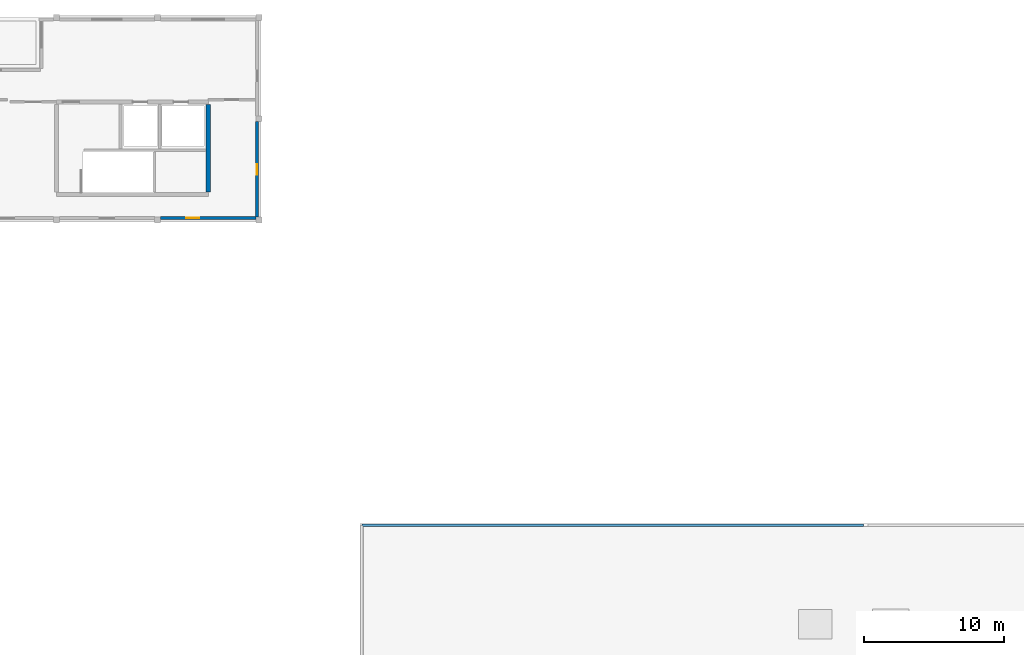
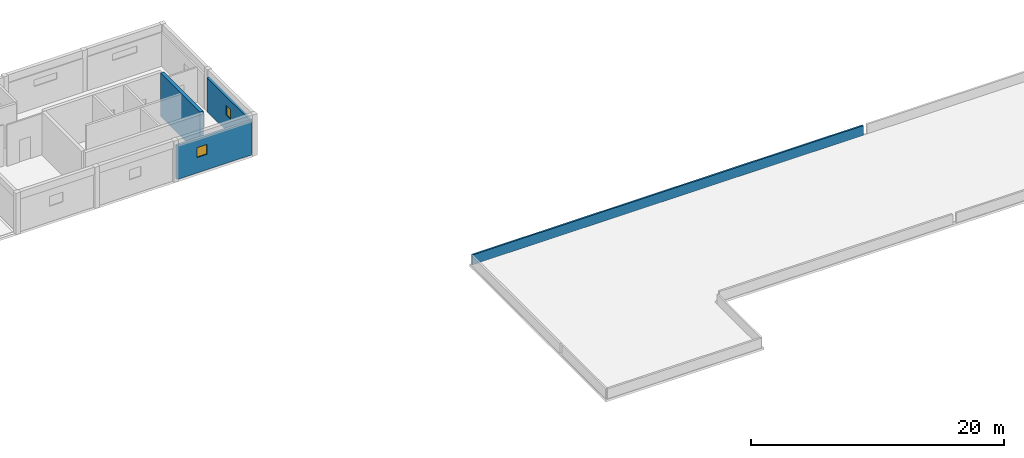
# One storey, part 7 of 15: 4 walls, 2 windows, 2 openings.
"""IFC4 building model written with IfcOpenShell, lengths in metres."""

import ifcopenshell
import ifcopenshell.guid

model = None  # the IFC model being written
_history = None  # IfcOwnerHistory: only IFC2X3 demands one
_inside = {}  # id of a spatial element -> (the spatial element, [elements in it])
_under = {}  # id of a project, library or spatial element -> (it, [spatial elements below it])
_declared = {}  # id of a project -> (the project, [libraries it declares])
_typed = {}  # id of a type object -> (the type object, [elements of that type])
_made_of = {}  # id of a material, layer set ... -> (it, [elements and type objects made of it])


def new_model(schema):
    """Start an empty IFC model of exactly this schema.

    Asked for "IFC4X3", IfcOpenShell would pick the latest addendum, in which some entities
    have other attributes; the version numbers below select the first issue.
    IFC2X3 requires an IfcOwnerHistory on every rooted entity: one is made here for all.
    """
    global model, _history
    if schema == "IFC4X3":
        model = ifcopenshell.file(schema_version=(4, 3, 0, 0))
    else:
        model = ifcopenshell.file(schema=schema)
    _inside.clear()
    _under.clear()
    _declared.clear()
    _typed.clear()
    _made_of.clear()
    _history = None
    if model.schema == "IFC2X3":
        org = make("IfcOrganization", Name="unknown")
        user = make(
            "IfcPersonAndOrganization",
            ThePerson=make("IfcPerson", FamilyName="unknown"),
            TheOrganization=org,
        )
        app = make(
            "IfcApplication",
            ApplicationDeveloper=org,
            Version="unknown",
            ApplicationFullName="unknown",
            ApplicationIdentifier="unknown",
        )
        _history = make(
            "IfcOwnerHistory",
            OwningUser=user,
            OwningApplication=app,
            ChangeAction="ADDED",
            CreationDate=0,
        )
    return model


def make(cls, **values):
    """One entity of the class cls with the attributes given. An attribute that is None is left unset."""
    return model.create_entity(
        cls, **{name: value for name, value in values.items() if value is not None}
    )


def rooted(cls, **values):
    """An entity with a GlobalId (a new one), such as an element, a storey or a relation."""
    return make(cls, GlobalId=ifcopenshell.guid.new(), OwnerHistory=_history, **values)


def si_unit(unit_type, name, prefix=None):
    """IfcSIUnit, for example si_unit("LENGTHUNIT", "METRE", prefix="MILLI")."""
    return make("IfcSIUnit", UnitType=unit_type, Prefix=prefix, Name=name)


def assignment(units):
    """IfcUnitAssignment: the units of a project."""
    return None if units is None else make("IfcUnitAssignment", Units=units)


def point(xyz):
    """IfcCartesianPoint."""
    return None if xyz is None else make("IfcCartesianPoint", Coordinates=xyz)


def direction(xyz):
    """IfcDirection."""
    return None if xyz is None else make("IfcDirection", DirectionRatios=xyz)


def frame(location, z_axis=None, x_axis=None):
    """IfcAxis2Placement3D, a coordinate frame: its origin and axes. An axis left out is left unset."""
    return make(
        "IfcAxis2Placement3D",
        Location=point(location),
        Axis=direction(z_axis),
        RefDirection=direction(x_axis),
    )


def frame_2d(location, x_axis=None):
    """IfcAxis2Placement2D, a coordinate frame in the plane: its origin and x axis."""
    return make(
        "IfcAxis2Placement2D", Location=point(location), RefDirection=direction(x_axis)
    )


def origin():
    """The frame at (0, 0, 0) with its axes left unset."""
    return frame((0.0, 0.0, 0.0))


def place(relative_to, where):
    """IfcLocalPlacement: puts the frame where relative to a parent placement (None: the world)."""
    return make(
        "IfcLocalPlacement", PlacementRelTo=relative_to, RelativePlacement=where
    )


def context(
    kind, dimensions, precision=None, world=None, true_north=None, identifier=None
):
    """IfcGeometricRepresentationContext, for example the 3D "Model" context."""
    return make(
        "IfcGeometricRepresentationContext",
        ContextIdentifier=identifier,
        ContextType=kind,
        CoordinateSpaceDimension=dimensions,
        Precision=precision,
        WorldCoordinateSystem=world,
        TrueNorth=true_north,
    )


def subcontext(parent, identifier, kind, view, scale=None):
    """IfcGeometricRepresentationSubContext, for example "Body" below "Model"."""
    return make(
        "IfcGeometricRepresentationSubContext",
        ContextIdentifier=identifier,
        ContextType=kind,
        ParentContext=parent,
        TargetScale=scale,
        TargetView=view,
    )


def project(units=None, contexts=None):
    """IfcProject with its units and contexts."""
    return rooted(
        "IfcProject",
        Name="project",
        RepresentationContexts=contexts,
        UnitsInContext=assignment(units),
    )


def spatial(cls, under=None, at=None, **own):
    """A site, building, storey or space (cls), placed at a placement, below another one or the project."""
    s = rooted(cls, ObjectPlacement=at, **own)
    if under is not None:
        _under.setdefault(under.id(), (under, []))[1].append(s)
    return s


def profile(cls, at=None, kind="AREA", **sizes):
    """A parametric profile (cls). Its sizes go by their IFC names, for example OverallWidth=200.0."""
    return make(cls, ProfileType=kind, Position=at, **sizes)


def rectangle(**sizes):
    """IfcRectangleProfileDef."""
    return profile("IfcRectangleProfileDef", **sizes)


def extrude(swept, where, along, depth):
    """IfcExtrudedAreaSolid: the profile swept, set in the frame where, extruded along a direction by depth."""
    return make(
        "IfcExtrudedAreaSolid",
        SweptArea=swept,
        Position=where,
        ExtrudedDirection=direction(along),
        Depth=depth,
    )


def shape(context_of_items, identifier, shape_type, items):
    """IfcShapeRepresentation: the items that make up one representation, for example the "Body"."""
    return make(
        "IfcShapeRepresentation",
        ContextOfItems=context_of_items,
        RepresentationIdentifier=identifier,
        RepresentationType=shape_type,
        Items=items,
    )


def material(Name=None, Category=None):
    """IfcMaterial."""
    return make("IfcMaterial", Name=Name, Category=Category)


def layer(
    of_material, thickness, ventilated=None, Name=None, Category=None, Priority=None
):
    """IfcMaterialLayer: one layer of a wall or slab, of a material (None: an air gap)."""
    return make(
        "IfcMaterialLayer",
        Material=of_material,
        LayerThickness=thickness,
        IsVentilated=ventilated,
        Name=Name,
        Category=Category,
        Priority=Priority,
    )


def layer_set(layers, Name=None):
    """IfcMaterialLayerSet."""
    return make("IfcMaterialLayerSet", MaterialLayers=layers, LayerSetName=Name)


def made_of(thing, what):
    """Note that an element or type object is made of a material, layer set ...; save() writes the relation."""
    if what is not None:
        _made_of.setdefault(what.id(), (what, []))[1].append(thing)
    return thing


def type_object(cls, material=None, **own):
    """A type object (cls), such as IfcWallType, which elements share."""
    return made_of(rooted(cls, **own), material)


def element(
    cls,
    number,
    at=None,
    inside=None,
    cuts=None,
    type_object=None,
    material=None,
    context=None,
    identifier="Body",
    shape_type=None,
    held_by="IfcProductDefinitionShape",
    body=None,
    shapes=None,
    **own,
):
    """One element of the class cls, such as IfcWall. Its Tag is "e" and its number.

    at: its placement. inside: the storey or other place that contains it. cuts: it is an
    opening in that element (IfcRelVoidsElement). A single representation is given by context,
    identifier, shape_type and body (its items); several are given by shapes. held_by: the class
    of the entity that holds the representations. save() writes the other relations.
    """
    e = rooted(cls, Tag="e%d" % number, ObjectPlacement=at, **own)
    if body is not None:
        shapes = [shape(context, identifier, shape_type, body)]
    if shapes is not None:
        e.Representation = make(held_by, Representations=shapes)
    if inside is not None:
        _inside.setdefault(inside.id(), (inside, []))[1].append(e)
    if cuts is not None:
        rooted(
            "IfcRelVoidsElement", RelatingBuildingElement=cuts, RelatedOpeningElement=e
        )
    if type_object is not None:
        _typed.setdefault(type_object.id(), (type_object, []))[1].append(e)
    return made_of(e, material)


def fill(opening, filler):
    """IfcRelFillsElement: the door or window that sits in an opening."""
    return rooted(
        "IfcRelFillsElement",
        RelatingOpeningElement=opening,
        RelatedBuildingElement=filler,
    )


def aggregate(whole, parts):
    """IfcRelAggregates: a whole, such as a stair, and the parts it consists of."""
    return rooted("IfcRelAggregates", RelatingObject=whole, RelatedObjects=parts)


def save(model, path):
    """Write the relations noted so far, then the file.

    IfcRelAggregates (storeys below a building ...), IfcRelContainedInSpatialStructure (elements
    in a storey), IfcRelDefinesByType, IfcRelAssociatesMaterial and IfcRelDeclares: one each for
    every whole, place, type object, material and project.
    """
    for whole, parts in _under.values():
        aggregate(whole, parts)
    for where, things in _inside.values():
        rooted(
            "IfcRelContainedInSpatialStructure",
            RelatedElements=things,
            RelatingStructure=where,
        )
    for kind, things in _typed.values():
        rooted("IfcRelDefinesByType", RelatedObjects=things, RelatingType=kind)
    for what, things in _made_of.values():
        rooted("IfcRelAssociatesMaterial", RelatedObjects=things, RelatingMaterial=what)
    for by, libraries in _declared.values():
        rooted("IfcRelDeclares", RelatingContext=by, RelatedDefinitions=libraries)
    model.write(path)


model = new_model("IFC4")

# Units and contexts
model_context = context("Model", 3, precision=1e-05, world=origin(), true_north=direction((0.0, 1.0)))
body_context = subcontext(model_context, "Body", "Model", "MODEL_VIEW")
ifc_project = project(units=[si_unit("LENGTHUNIT", "METRE"), si_unit("AREAUNIT", "SQUARE_METRE"), si_unit("VOLUMEUNIT", "CUBIC_METRE"), si_unit("PLANEANGLEUNIT", "RADIAN"), si_unit("MASSUNIT", "GRAM", prefix="KILO")], contexts=[model_context])

# Site, building, storey
site_placement = place(None, origin())
site = spatial("IfcSite", under=ifc_project, at=site_placement, CompositionType="ELEMENT")
building_placement = place(site_placement, origin())
building = spatial("IfcBuilding", under=site, at=building_placement, Name="Bramvelor Terrace Health Centre", CompositionType="ELEMENT")
storey_placement = place(building_placement, frame((0.0, 0.0, 13.5)))
storey = spatial("IfcBuildingStorey", under=building, at=storey_placement, Name="L04", CompositionType="ELEMENT", Elevation=13.5)

# Wall
ifc_material_1 = material(Name="Concrete C40/50", Category="concrete")
ifc_layer_1 = layer(ifc_material_1, 0.300048828125)
ifc_layer_set_1 = layer_set([ifc_layer_1], Name="Concrete C40/50")
wall_type_1 = type_object("IfcWallType", Name="WL-CORE-300", PredefinedType="SHEAR", material=ifc_layer_set_1)
wall_1_placement = place(storey_placement, frame((90.0, 88.3798828125, 0.0), z_axis=(0.0, 0.0, 1.0), x_axis=(0.0, 1.0, 0.0)))
element("IfcWall", 1, at=wall_1_placement, inside=storey, type_object=wall_type_1, Name="C4 L04 Core Shear Wall", PredefinedType="SHEAR", context=body_context, shape_type="SweptSolid", body=[
    extrude(rectangle(XDim=6.240234375, YDim=0.300048828125, at=frame_2d((3.1201171875, 0.0))), origin(), (0.0, 0.0, 1.0), 4.199951171875),
])

# Wall, opening, window
ifc_material_2 = material(Name="Cross-laminated timber C24", Category="wood")
ifc_layer_2 = layer(ifc_material_2, 0.219970703125)
ifc_layer_set_2 = layer_set([ifc_layer_2], Name="Cross-laminated timber C24")
wall_type_2 = type_object("IfcWallType", Name="WL-EXT-CLT220", PredefinedType="SOLIDWALL", material=ifc_layer_set_2)
wall_2_placement = place(storey_placement, frame((93.469970703125, 93.39501953125, 0.0), z_axis=(0.0, 0.0, 1.0), x_axis=(0.0, -1.0, 0.0)))
wall_2 = element("IfcWall", 2, at=wall_2_placement, inside=storey, type_object=wall_type_2, Name="L04 Exterior Facade Wall 22", PredefinedType="SOLIDWALL", context=body_context, shape_type="SweptSolid", body=[
    extrude(rectangle(XDim=6.7900390625, YDim=0.219970703125, at=frame_2d((3.39501953125, 0.0))), origin(), (0.0, 0.0, 1.0), 3.27001953125),
])
opening_1_placement = place(wall_2_placement, frame((3.02001953125, 0.0, 1.5)))
opening_1 = element("IfcOpeningElement", 3, at=opening_1_placement, cuts=wall_2, Name="Opening WN-13", PredefinedType="OPENING", context=body_context, shape_type="SweptSolid", body=[
    extrude(rectangle(XDim=0.75, YDim=0.949951171875, at=frame_2d((0.375, 0.47509765625))), frame((0.0, 0.119873046875, 0.0), z_axis=(0.0, -1.0, 0.0), x_axis=(1.0, 0.0, 0.0)), (0.0, 0.0, 1.0), 0.239990234375),
])
ifc_material_3 = material(Name="Double low-E laminated glass", Category="glass")
window_type_1 = type_object("IfcWindowType", Name="WIN-EXT-13", PartitioningType="SINGLE_PANEL", PredefinedType="WINDOW", material=ifc_material_3)
window_1_placement = place(opening_1_placement, origin())
window_1 = element("IfcWindow", 4, at=window_1_placement, inside=storey, type_object=window_type_1, Name="L04 Scheduled Clinical Window 193", OverallHeight=0.949951171875, OverallWidth=0.75, PartitioningType="SINGLE_PANEL", PredefinedType="WINDOW", context=body_context, shape_type="SweptSolid", body=[
    extrude(rectangle(XDim=0.75, YDim=0.949951171875, at=frame_2d((0.375, 0.47509765625))), frame((0.0, 0.030029296875, 0.0), z_axis=(0.0, -1.0, 0.0), x_axis=(1.0, 0.0, 0.0)), (0.0, 0.0, 1.0), 0.06005859375),
])
fill(opening_1, window_1)

wall_3_placement = place(storey_placement, frame((93.39501953125, 86.530029296875, 0.0), z_axis=(0.0, 0.0, 1.0), x_axis=(-1.0, 0.0, 0.0)))
wall_3 = element("IfcWall", 5, at=wall_3_placement, inside=storey, type_object=wall_type_2, Name="L04 Exterior Facade Wall 23", PredefinedType="SOLIDWALL", context=body_context, shape_type="SweptSolid", body=[
    extrude(rectangle(XDim=6.7900390625, YDim=0.219970703125, at=frame_2d((3.39501953125, 0.0))), origin(), (0.0, 0.0, 1.0), 3.27001953125),
])
opening_2_placement = place(wall_3_placement, frame((4.044921875, 0.0, 1.5)))
opening_2 = element("IfcOpeningElement", 6, at=opening_2_placement, cuts=wall_3, Name="Opening WN-14", PredefinedType="OPENING", context=body_context, shape_type="SweptSolid", body=[
    extrude(rectangle(XDim=0.89990234375, YDim=0.949951171875, at=frame_2d((0.449951171875, 0.47509765625))), frame((0.0, 0.119873046875, 0.0), z_axis=(0.0, -1.0, 0.0), x_axis=(1.0, 0.0, 0.0)), (0.0, 0.0, 1.0), 0.239990234375),
])
ifc_material_4 = material(Name="Double low-E laminated glass", Category="glass")
window_type_2 = type_object("IfcWindowType", Name="WIN-EXT-14", PartitioningType="SINGLE_PANEL", PredefinedType="WINDOW", material=ifc_material_4)
window_2_placement = place(opening_2_placement, origin())
window_2 = element("IfcWindow", 7, at=window_2_placement, inside=storey, type_object=window_type_2, Name="L04 Scheduled Clinical Window 194", OverallHeight=0.949951171875, OverallWidth=0.89990234375, PartitioningType="SINGLE_PANEL", PredefinedType="WINDOW", context=body_context, shape_type="SweptSolid", body=[
    extrude(rectangle(XDim=0.89990234375, YDim=0.949951171875, at=frame_2d((0.449951171875, 0.47509765625))), frame((0.0, 0.030029296875, 0.0), z_axis=(0.0, -1.0, 0.0), x_axis=(1.0, 0.0, 0.0)), (0.0, 0.0, 1.0), 0.06005859375),
])
fill(opening_2, window_2)

# Wall
ifc_material_5 = material(Name="Precast concrete C40/50", Category="concrete")
ifc_layer_3 = layer(ifc_material_5, 0.155029296875)
ifc_layer_set_3 = layer_set([ifc_layer_3], Name="Precast concrete C40/50")
wall_type_3 = type_object("IfcWallType", Name="WL-PAR-155", PredefinedType="PARAPET", material=ifc_layer_set_3)
wall_4_placement = place(storey_placement, frame((100.9599609375, 64.659912109375, 0.0), z_axis=(0.0, 0.0, 1.0), x_axis=(1.0, 0.0, 0.0)))
element("IfcWall", 8, at=wall_4_placement, inside=storey, type_object=wall_type_3, Name="L04 Roof Parapet Upstand 13", PredefinedType="PARAPET", context=body_context, shape_type="SweptSolid", body=[
    extrude(rectangle(XDim=35.679931640625, YDim=0.155029296875, at=frame_2d((17.83984375, 0.0))), origin(), (0.0, 0.0, 1.0), 0.949951171875),
])

save(model, "model.ifc")
